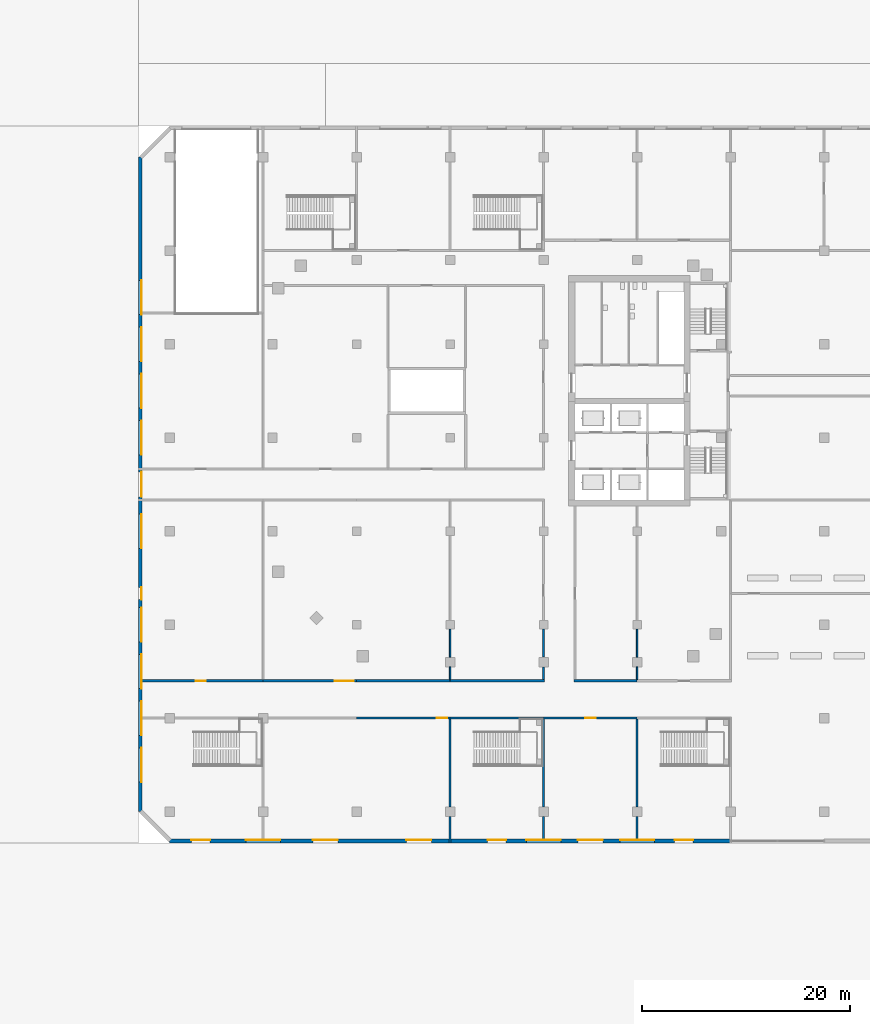
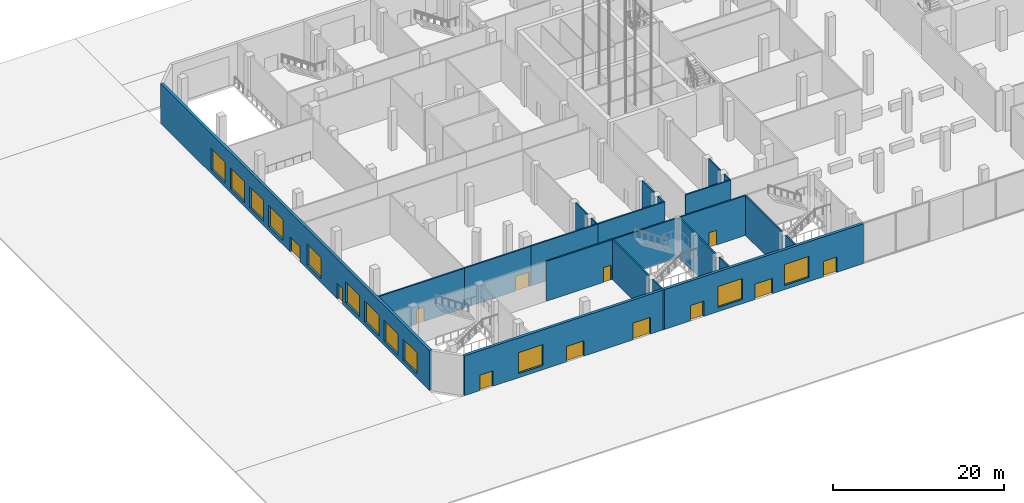
# One storey, part 33 of 55: 22 walls, 12 doors, 12 windows, 24 openings.
"""IFC4 building model written with IfcOpenShell, lengths in metres."""

from ifc_helpers import new_model, si_unit, direction, frame, frame_2d, origin, place, context, subcontext, project, spatial, rectangle, extrude, material, layer, layer_set, type_object, element, fill, save


model = new_model("IFC4")

# Units and contexts
model_context = context("Model", 3, precision=1e-05, world=origin(), true_north=direction((0.0, 1.0)))
body_context = subcontext(model_context, "Body", "Model", "MODEL_VIEW")
ifc_project = project(units=[si_unit("LENGTHUNIT", "METRE"), si_unit("AREAUNIT", "SQUARE_METRE"), si_unit("VOLUMEUNIT", "CUBIC_METRE"), si_unit("PLANEANGLEUNIT", "RADIAN"), si_unit("MASSUNIT", "GRAM", prefix="KILO")], contexts=[model_context])

# Site, building, storey
site_placement = place(None, origin())
site = spatial("IfcSite", under=ifc_project, at=site_placement, CompositionType="ELEMENT")
building_placement = place(site_placement, origin())
building = spatial("IfcBuilding", under=site, at=building_placement, Name="Cinnabar Reach Civic Tower", CompositionType="ELEMENT")
storey_placement = place(building_placement, origin())
storey = spatial("IfcBuildingStorey", under=building, at=storey_placement, Name="L00", CompositionType="ELEMENT", Elevation=0.0)

# Wall, openings, doors, windows
ifc_material_1 = material(Name="Facing brick with insulated backing", Category="masonry")
ifc_layer_1 = layer(ifc_material_1, 0.36)
ifc_layer_set_1 = layer_set([ifc_layer_1], Name="Brick pier and spandrel wall")
wall_type_1 = type_object("IfcWallType", Name="Brick pier and spandrel wall", PredefinedType="STANDARD", material=ifc_layer_set_1)
wall_1_placement = place(storey_placement, frame((-81.0, -11.82, 0.0), z_axis=(0.0, 0.0, 1.0), x_axis=(1.0, 0.0, 0.0)))
wall_1 = element("IfcWall", 1, at=wall_1_placement, inside=storey, type_object=wall_type_1, Name="Brick facade wall", PredefinedType="STANDARD", context=body_context, shape_type="SweptSolid", body=[
    extrude(rectangle(XDim=54.0, YDim=0.36, at=frame_2d((27.0, 0.0))), origin(), (0.0, 0.0, 1.0), 5.7),
])
opening_1_placement = place(wall_1_placement, frame((22.8, 0.0, 0.0)))
opening_1 = element("IfcOpeningElement", 2, at=opening_1_placement, cuts=wall_1, Name="Opening D7521", PredefinedType="OPENING", context=body_context, shape_type="SweptSolid", body=[
    extrude(rectangle(XDim=2.4, YDim=2.4, at=frame_2d((1.2, 1.2))), frame((0.0, 0.19, 0.0), z_axis=(0.0, -1.0, 0.0), x_axis=(1.0, 0.0, 0.0)), (0.0, 0.0, 1.0), 0.38),
])
opening_2_placement = place(wall_1_placement, frame((13.8, 0.0, 0.0)))
opening_2 = element("IfcOpeningElement", 3, at=opening_2_placement, cuts=wall_1, Name="Opening D7522", PredefinedType="OPENING", context=body_context, shape_type="SweptSolid", body=[
    extrude(rectangle(XDim=2.4, YDim=2.2, at=frame_2d((1.2, 1.1))), frame((0.0, 0.19, 0.0), z_axis=(0.0, -1.0, 0.0), x_axis=(1.0, 0.0, 0.0)), (0.0, 0.0, 1.0), 0.38),
])
opening_3_placement = place(wall_1_placement, frame((39.3, 0.0, 0.0)))
opening_3 = element("IfcOpeningElement", 4, at=opening_3_placement, cuts=wall_1, Name="Opening D7523", PredefinedType="OPENING", context=body_context, shape_type="SweptSolid", body=[
    extrude(rectangle(XDim=2.4, YDim=2.2, at=frame_2d((1.2, 1.1))), frame((0.0, 0.19, 0.0), z_axis=(0.0, -1.0, 0.0), x_axis=(1.0, 0.0, 0.0)), (0.0, 0.0, 1.0), 0.38),
])
opening_4_placement = place(wall_1_placement, frame((2.1, 0.0, 0.0)))
opening_4 = element("IfcOpeningElement", 5, at=opening_4_placement, cuts=wall_1, Name="Opening D7524", PredefinedType="OPENING", context=body_context, shape_type="SweptSolid", body=[
    extrude(rectangle(XDim=1.8, YDim=2.2, at=frame_2d((0.9, 1.1))), frame((0.0, 0.19, 0.0), z_axis=(0.0, -1.0, 0.0), x_axis=(1.0, 0.0, 0.0)), (0.0, 0.0, 1.0), 0.38),
])
opening_5_placement = place(wall_1_placement, frame((30.6, 0.0, 0.0)))
opening_5 = element("IfcOpeningElement", 6, at=opening_5_placement, cuts=wall_1, Name="Opening D7525", PredefinedType="OPENING", context=body_context, shape_type="SweptSolid", body=[
    extrude(rectangle(XDim=1.8, YDim=2.2, at=frame_2d((0.9, 1.1))), frame((0.0, 0.19, 0.0), z_axis=(0.0, -1.0, 0.0), x_axis=(1.0, 0.0, 0.0)), (0.0, 0.0, 1.0), 0.38),
])
opening_6_placement = place(wall_1_placement, frame((48.6, 0.0, 0.0)))
opening_6 = element("IfcOpeningElement", 7, at=opening_6_placement, cuts=wall_1, Name="Opening D7526", PredefinedType="OPENING", context=body_context, shape_type="SweptSolid", body=[
    extrude(rectangle(XDim=1.8, YDim=2.2, at=frame_2d((0.9, 1.1))), frame((0.0, 0.19, 0.0), z_axis=(0.0, -1.0, 0.0), x_axis=(1.0, 0.0, 0.0)), (0.0, 0.0, 1.0), 0.38),
])
opening_7_placement = place(wall_1_placement, frame((7.35, 0.0, 0.6)))
opening_7 = element("IfcOpeningElement", 8, at=opening_7_placement, cuts=wall_1, Name="Opening W2807", PredefinedType="OPENING", context=body_context, shape_type="SweptSolid", body=[
    extrude(rectangle(XDim=3.3, YDim=3.0, at=frame_2d((1.65, 1.5))), frame((0.0, 0.19, 0.0), z_axis=(0.0, -1.0, 0.0), x_axis=(1.0, 0.0, 0.0)), (0.0, 0.0, 1.0), 0.38),
])
opening_8_placement = place(wall_1_placement, frame((34.35, 0.0, 0.6)))
opening_8 = element("IfcOpeningElement", 9, at=opening_8_placement, cuts=wall_1, Name="Opening W2808", PredefinedType="OPENING", context=body_context, shape_type="SweptSolid", body=[
    extrude(rectangle(XDim=3.3, YDim=3.0, at=frame_2d((1.65, 1.5))), frame((0.0, 0.19, 0.0), z_axis=(0.0, -1.0, 0.0), x_axis=(1.0, 0.0, 0.0)), (0.0, 0.0, 1.0), 0.38),
])
opening_9_placement = place(wall_1_placement, frame((43.35, 0.0, 0.6)))
opening_9 = element("IfcOpeningElement", 10, at=opening_9_placement, cuts=wall_1, Name="Opening W2809", PredefinedType="OPENING", context=body_context, shape_type="SweptSolid", body=[
    extrude(rectangle(XDim=3.3, YDim=3.0, at=frame_2d((1.65, 1.5))), frame((0.0, 0.19, 0.0), z_axis=(0.0, -1.0, 0.0), x_axis=(1.0, 0.0, 0.0)), (0.0, 0.0, 1.0), 0.38),
])
ifc_material_2 = material(Name="Clear glazing in aluminium frame", Category="aluminium")
door_type_1 = type_object("IfcDoorType", Name="Facade entrance double door", OperationType="SINGLE_SWING_LEFT", PredefinedType="DOOR", material=ifc_material_2)
door_1_placement = place(opening_1_placement, frame((2.4, 0.0, 0.0), z_axis=(0.0, 0.0, 1.0), x_axis=(-1.0, 0.0, 0.0)))
door_1 = element("IfcDoor", 11, at=door_1_placement, inside=storey, type_object=door_type_1, Name="Residences lobby entrance", OperationType="DOUBLE_DOOR_SINGLE_SWING", OverallHeight=2.4, OverallWidth=2.4, PredefinedType="DOOR", context=body_context, shape_type="SweptSolid", body=[
    extrude(rectangle(XDim=2.4, YDim=2.4, at=frame_2d((1.2, 1.2))), frame((0.0, -0.07, 0.0), z_axis=(0.0, -1.0, 0.0), x_axis=(1.0, 0.0, 0.0)), (0.0, 0.0, 1.0), 0.05),
])
fill(opening_1, door_1)
ifc_material_3 = material(Name="Steel fire door", Category="steel")
door_type_2 = type_object("IfcDoorType", Name="Facade exit double door", OperationType="SINGLE_SWING_LEFT", PredefinedType="DOOR", material=ifc_material_3)
door_2_placement = place(opening_4_placement, frame((1.8, 0.0, 0.0), z_axis=(0.0, 0.0, 1.0), x_axis=(-1.0, 0.0, 0.0)))
door_2 = element("IfcDoor", 12, at=door_2_placement, inside=storey, type_object=door_type_2, Name="Stair exit discharge", OperationType="DOUBLE_DOOR_SINGLE_SWING", OverallHeight=2.2, OverallWidth=1.8, PredefinedType="DOOR", context=body_context, shape_type="SweptSolid", body=[
    extrude(rectangle(XDim=1.8, YDim=2.2, at=frame_2d((0.9, 1.1))), frame((0.0, -0.07, 0.0), z_axis=(0.0, -1.0, 0.0), x_axis=(1.0, 0.0, 0.0)), (0.0, 0.0, 1.0), 0.05),
])
fill(opening_4, door_2)
door_3_placement = place(opening_5_placement, frame((1.8, 0.0, 0.0), z_axis=(0.0, 0.0, 1.0), x_axis=(-1.0, 0.0, 0.0)))
door_3 = element("IfcDoor", 13, at=door_3_placement, inside=storey, type_object=door_type_2, Name="Stair exit discharge", OperationType="DOUBLE_DOOR_SINGLE_SWING", OverallHeight=2.2, OverallWidth=1.8, PredefinedType="DOOR", context=body_context, shape_type="SweptSolid", body=[
    extrude(rectangle(XDim=1.8, YDim=2.2, at=frame_2d((0.9, 1.1))), frame((0.0, -0.07, 0.0), z_axis=(0.0, -1.0, 0.0), x_axis=(1.0, 0.0, 0.0)), (0.0, 0.0, 1.0), 0.05),
])
fill(opening_5, door_3)
door_4_placement = place(opening_6_placement, frame((1.8, 0.0, 0.0), z_axis=(0.0, 0.0, 1.0), x_axis=(-1.0, 0.0, 0.0)))
door_4 = element("IfcDoor", 14, at=door_4_placement, inside=storey, type_object=door_type_2, Name="Stair exit discharge", OperationType="DOUBLE_DOOR_SINGLE_SWING", OverallHeight=2.2, OverallWidth=1.8, PredefinedType="DOOR", context=body_context, shape_type="SweptSolid", body=[
    extrude(rectangle(XDim=1.8, YDim=2.2, at=frame_2d((0.9, 1.1))), frame((0.0, -0.07, 0.0), z_axis=(0.0, -1.0, 0.0), x_axis=(1.0, 0.0, 0.0)), (0.0, 0.0, 1.0), 0.05),
])
fill(opening_6, door_4)
door_type_3 = type_object("IfcDoorType", Name="Facade wide exit double door", OperationType="SINGLE_SWING_LEFT", PredefinedType="DOOR", material=ifc_material_3)
door_5_placement = place(opening_2_placement, frame((2.4, 0.0, 0.0), z_axis=(0.0, 0.0, 1.0), x_axis=(-1.0, 0.0, 0.0)))
door_5 = element("IfcDoor", 15, at=door_5_placement, inside=storey, type_object=door_type_3, Name="Residences reception exit", OperationType="DOUBLE_DOOR_SINGLE_SWING", OverallHeight=2.2, OverallWidth=2.4, PredefinedType="DOOR", context=body_context, shape_type="SweptSolid", body=[
    extrude(rectangle(XDim=2.4, YDim=2.2, at=frame_2d((1.2, 1.1))), frame((0.0, -0.07, 0.0), z_axis=(0.0, -1.0, 0.0), x_axis=(1.0, 0.0, 0.0)), (0.0, 0.0, 1.0), 0.05),
])
fill(opening_2, door_5)
door_6_placement = place(opening_3_placement, frame((2.4, 0.0, 0.0), z_axis=(0.0, 0.0, 1.0), x_axis=(-1.0, 0.0, 0.0)))
door_6 = element("IfcDoor", 16, at=door_6_placement, inside=storey, type_object=door_type_3, Name="Retail unit exit", OperationType="DOUBLE_DOOR_SINGLE_SWING", OverallHeight=2.2, OverallWidth=2.4, PredefinedType="DOOR", context=body_context, shape_type="SweptSolid", body=[
    extrude(rectangle(XDim=2.4, YDim=2.2, at=frame_2d((1.2, 1.1))), frame((0.0, -0.07, 0.0), z_axis=(0.0, -1.0, 0.0), x_axis=(1.0, 0.0, 0.0)), (0.0, 0.0, 1.0), 0.05),
])
fill(opening_3, door_6)
ifc_material_4 = material(Name="Clear double glazing in aluminium frame", Category="aluminium")
window_type = type_object("IfcWindowType", Name="Podium window G", PartitioningType="SINGLE_PANEL", PredefinedType="WINDOW", material=ifc_material_4)
window_1_placement = place(opening_7_placement, origin())
window_1 = element("IfcWindow", 17, at=window_1_placement, inside=storey, type_object=window_type, Name="Window south face", OverallHeight=3.0, OverallWidth=3.3, PartitioningType="SINGLE_PANEL", PredefinedType="WINDOW", context=body_context, shape_type="SweptSolid", body=[
    extrude(rectangle(XDim=3.3, YDim=3.0, at=frame_2d((1.65, 1.5))), frame((0.0, 0.13, 0.0), z_axis=(0.0, -1.0, 0.0), x_axis=(1.0, 0.0, 0.0)), (0.0, 0.0, 1.0), 0.06),
])
fill(opening_7, window_1)
window_2_placement = place(opening_8_placement, origin())
window_2 = element("IfcWindow", 18, at=window_2_placement, inside=storey, type_object=window_type, Name="Window south face", OverallHeight=3.0, OverallWidth=3.3, PartitioningType="SINGLE_PANEL", PredefinedType="WINDOW", context=body_context, shape_type="SweptSolid", body=[
    extrude(rectangle(XDim=3.3, YDim=3.0, at=frame_2d((1.65, 1.5))), frame((0.0, 0.13, 0.0), z_axis=(0.0, -1.0, 0.0), x_axis=(1.0, 0.0, 0.0)), (0.0, 0.0, 1.0), 0.06),
])
fill(opening_8, window_2)
window_3_placement = place(opening_9_placement, origin())
window_3 = element("IfcWindow", 19, at=window_3_placement, inside=storey, type_object=window_type, Name="Window south face", OverallHeight=3.0, OverallWidth=3.3, PartitioningType="SINGLE_PANEL", PredefinedType="WINDOW", context=body_context, shape_type="SweptSolid", body=[
    extrude(rectangle(XDim=3.3, YDim=3.0, at=frame_2d((1.65, 1.5))), frame((0.0, 0.13, 0.0), z_axis=(0.0, -1.0, 0.0), x_axis=(1.0, 0.0, 0.0)), (0.0, 0.0, 1.0), 0.06),
])
fill(opening_9, window_3)

wall_2_placement = place(storey_placement, frame((-83.82, 54.0, 0.0), z_axis=(0.0, 0.0, 1.0), x_axis=(0.0, -1.0, 0.0)))
wall_2 = element("IfcWall", 20, at=wall_2_placement, inside=storey, type_object=wall_type_1, Name="Brick facade wall", PredefinedType="STANDARD", context=body_context, shape_type="SweptSolid", body=[
    extrude(rectangle(XDim=63.0, YDim=0.36, at=frame_2d((31.5, 0.0))), origin(), (0.0, 0.0, 1.0), 5.7),
])
opening_10_placement = place(wall_2_placement, frame((41.4, 0.0, 0.0)))
opening_10 = element("IfcOpeningElement", 21, at=opening_10_placement, cuts=wall_2, Name="Opening D7549", PredefinedType="OPENING", context=body_context, shape_type="SweptSolid", body=[
    extrude(rectangle(XDim=1.2, YDim=2.2, at=frame_2d((0.6, 1.1))), frame((0.0, 0.19, 0.0), z_axis=(0.0, -1.0, 0.0), x_axis=(1.0, 0.0, 0.0)), (0.0, 0.0, 1.0), 0.38),
])
opening_11_placement = place(wall_2_placement, frame((30.3, 0.0, 0.0)))
opening_11 = element("IfcOpeningElement", 22, at=opening_11_placement, cuts=wall_2, Name="Opening D7550", PredefinedType="OPENING", context=body_context, shape_type="SweptSolid", body=[
    extrude(rectangle(XDim=2.4, YDim=2.2, at=frame_2d((1.2, 1.1))), frame((0.0, 0.19, 0.0), z_axis=(0.0, -1.0, 0.0), x_axis=(1.0, 0.0, 0.0)), (0.0, 0.0, 1.0), 0.38),
])
opening_12_placement = place(wall_2_placement, frame((11.85, 0.0, 0.6)))
opening_12 = element("IfcOpeningElement", 23, at=opening_12_placement, cuts=wall_2, Name="Opening W2842", PredefinedType="OPENING", context=body_context, shape_type="SweptSolid", body=[
    extrude(rectangle(XDim=3.3, YDim=3.0, at=frame_2d((1.65, 1.5))), frame((0.0, 0.19, 0.0), z_axis=(0.0, -1.0, 0.0), x_axis=(1.0, 0.0, 0.0)), (0.0, 0.0, 1.0), 0.38),
])
opening_13_placement = place(wall_2_placement, frame((16.35, 0.0, 0.6)))
opening_13 = element("IfcOpeningElement", 24, at=opening_13_placement, cuts=wall_2, Name="Opening W2843", PredefinedType="OPENING", context=body_context, shape_type="SweptSolid", body=[
    extrude(rectangle(XDim=3.3, YDim=3.0, at=frame_2d((1.65, 1.5))), frame((0.0, 0.19, 0.0), z_axis=(0.0, -1.0, 0.0), x_axis=(1.0, 0.0, 0.0)), (0.0, 0.0, 1.0), 0.38),
])
opening_14_placement = place(wall_2_placement, frame((20.85, 0.0, 0.6)))
opening_14 = element("IfcOpeningElement", 25, at=opening_14_placement, cuts=wall_2, Name="Opening W2844", PredefinedType="OPENING", context=body_context, shape_type="SweptSolid", body=[
    extrude(rectangle(XDim=3.3, YDim=3.0, at=frame_2d((1.65, 1.5))), frame((0.0, 0.19, 0.0), z_axis=(0.0, -1.0, 0.0), x_axis=(1.0, 0.0, 0.0)), (0.0, 0.0, 1.0), 0.38),
])
opening_15_placement = place(wall_2_placement, frame((25.35, 0.0, 0.6)))
opening_15 = element("IfcOpeningElement", 26, at=opening_15_placement, cuts=wall_2, Name="Opening W2845", PredefinedType="OPENING", context=body_context, shape_type="SweptSolid", body=[
    extrude(rectangle(XDim=3.3, YDim=3.0, at=frame_2d((1.65, 1.5))), frame((0.0, 0.19, 0.0), z_axis=(0.0, -1.0, 0.0), x_axis=(1.0, 0.0, 0.0)), (0.0, 0.0, 1.0), 0.38),
])
opening_16_placement = place(wall_2_placement, frame((34.35, 0.0, 0.6)))
opening_16 = element("IfcOpeningElement", 27, at=opening_16_placement, cuts=wall_2, Name="Opening W2846", PredefinedType="OPENING", context=body_context, shape_type="SweptSolid", body=[
    extrude(rectangle(XDim=3.3, YDim=3.0, at=frame_2d((1.65, 1.5))), frame((0.0, 0.19, 0.0), z_axis=(0.0, -1.0, 0.0), x_axis=(1.0, 0.0, 0.0)), (0.0, 0.0, 1.0), 0.38),
])
opening_17_placement = place(wall_2_placement, frame((43.35, 0.0, 0.6)))
opening_17 = element("IfcOpeningElement", 28, at=opening_17_placement, cuts=wall_2, Name="Opening W2847", PredefinedType="OPENING", context=body_context, shape_type="SweptSolid", body=[
    extrude(rectangle(XDim=3.3, YDim=3.0, at=frame_2d((1.65, 1.5))), frame((0.0, 0.19, 0.0), z_axis=(0.0, -1.0, 0.0), x_axis=(1.0, 0.0, 0.0)), (0.0, 0.0, 1.0), 0.38),
])
opening_18_placement = place(wall_2_placement, frame((47.85, 0.0, 0.6)))
opening_18 = element("IfcOpeningElement", 29, at=opening_18_placement, cuts=wall_2, Name="Opening W2848", PredefinedType="OPENING", context=body_context, shape_type="SweptSolid", body=[
    extrude(rectangle(XDim=3.3, YDim=3.0, at=frame_2d((1.65, 1.5))), frame((0.0, 0.19, 0.0), z_axis=(0.0, -1.0, 0.0), x_axis=(1.0, 0.0, 0.0)), (0.0, 0.0, 1.0), 0.38),
])
opening_19_placement = place(wall_2_placement, frame((52.35, 0.0, 0.6)))
opening_19 = element("IfcOpeningElement", 30, at=opening_19_placement, cuts=wall_2, Name="Opening W2849", PredefinedType="OPENING", context=body_context, shape_type="SweptSolid", body=[
    extrude(rectangle(XDim=3.3, YDim=3.0, at=frame_2d((1.65, 1.5))), frame((0.0, 0.19, 0.0), z_axis=(0.0, -1.0, 0.0), x_axis=(1.0, 0.0, 0.0)), (0.0, 0.0, 1.0), 0.38),
])
opening_20_placement = place(wall_2_placement, frame((56.85, 0.0, 0.6)))
opening_20 = element("IfcOpeningElement", 31, at=opening_20_placement, cuts=wall_2, Name="Opening W2850", PredefinedType="OPENING", context=body_context, shape_type="SweptSolid", body=[
    extrude(rectangle(XDim=3.3, YDim=3.0, at=frame_2d((1.65, 1.5))), frame((0.0, 0.19, 0.0), z_axis=(0.0, -1.0, 0.0), x_axis=(1.0, 0.0, 0.0)), (0.0, 0.0, 1.0), 0.38),
])
ifc_material_5 = material(Name="Steel door", Category="steel")
door_type_4 = type_object("IfcDoorType", Name="Facade service door", OperationType="SINGLE_SWING_LEFT", PredefinedType="DOOR", material=ifc_material_5)
door_7_placement = place(opening_10_placement, frame((1.2, 0.0, 0.0), z_axis=(0.0, 0.0, 1.0), x_axis=(-1.0, 0.0, 0.0)))
door_7 = element("IfcDoor", 32, at=door_7_placement, inside=storey, type_object=door_type_4, Name="Security control room door", OperationType="SINGLE_SWING_LEFT", OverallHeight=2.2, OverallWidth=1.2, PredefinedType="DOOR", context=body_context, shape_type="SweptSolid", body=[
    extrude(rectangle(XDim=1.2, YDim=2.2, at=frame_2d((0.6, 1.1))), frame((0.0, -0.07, 0.0), z_axis=(0.0, -1.0, 0.0), x_axis=(1.0, 0.0, 0.0)), (0.0, 0.0, 1.0), 0.05),
])
fill(opening_10, door_7)
door_8_placement = place(opening_11_placement, frame((2.4, 0.0, 0.0), z_axis=(0.0, 0.0, 1.0), x_axis=(-1.0, 0.0, 0.0)))
door_8 = element("IfcDoor", 33, at=door_8_placement, inside=storey, type_object=door_type_3, Name="West corridor exit", OperationType="DOUBLE_DOOR_SINGLE_SWING", OverallHeight=2.2, OverallWidth=2.4, PredefinedType="DOOR", context=body_context, shape_type="SweptSolid", body=[
    extrude(rectangle(XDim=2.4, YDim=2.2, at=frame_2d((1.2, 1.1))), frame((0.0, -0.07, 0.0), z_axis=(0.0, -1.0, 0.0), x_axis=(1.0, 0.0, 0.0)), (0.0, 0.0, 1.0), 0.05),
])
fill(opening_11, door_8)
window_4_placement = place(opening_12_placement, origin())
window_4 = element("IfcWindow", 34, at=window_4_placement, inside=storey, type_object=window_type, Name="Window west face", OverallHeight=3.0, OverallWidth=3.3, PartitioningType="SINGLE_PANEL", PredefinedType="WINDOW", context=body_context, shape_type="SweptSolid", body=[
    extrude(rectangle(XDim=3.3, YDim=3.0, at=frame_2d((1.65, 1.5))), frame((0.0, 0.13, 0.0), z_axis=(0.0, -1.0, 0.0), x_axis=(1.0, 0.0, 0.0)), (0.0, 0.0, 1.0), 0.06),
])
fill(opening_12, window_4)
window_5_placement = place(opening_13_placement, origin())
window_5 = element("IfcWindow", 35, at=window_5_placement, inside=storey, type_object=window_type, Name="Window west face", OverallHeight=3.0, OverallWidth=3.3, PartitioningType="SINGLE_PANEL", PredefinedType="WINDOW", context=body_context, shape_type="SweptSolid", body=[
    extrude(rectangle(XDim=3.3, YDim=3.0, at=frame_2d((1.65, 1.5))), frame((0.0, 0.13, 0.0), z_axis=(0.0, -1.0, 0.0), x_axis=(1.0, 0.0, 0.0)), (0.0, 0.0, 1.0), 0.06),
])
fill(opening_13, window_5)
window_6_placement = place(opening_14_placement, origin())
window_6 = element("IfcWindow", 36, at=window_6_placement, inside=storey, type_object=window_type, Name="Window west face", OverallHeight=3.0, OverallWidth=3.3, PartitioningType="SINGLE_PANEL", PredefinedType="WINDOW", context=body_context, shape_type="SweptSolid", body=[
    extrude(rectangle(XDim=3.3, YDim=3.0, at=frame_2d((1.65, 1.5))), frame((0.0, 0.13, 0.0), z_axis=(0.0, -1.0, 0.0), x_axis=(1.0, 0.0, 0.0)), (0.0, 0.0, 1.0), 0.06),
])
fill(opening_14, window_6)
window_7_placement = place(opening_15_placement, origin())
window_7 = element("IfcWindow", 37, at=window_7_placement, inside=storey, type_object=window_type, Name="Window west face", OverallHeight=3.0, OverallWidth=3.3, PartitioningType="SINGLE_PANEL", PredefinedType="WINDOW", context=body_context, shape_type="SweptSolid", body=[
    extrude(rectangle(XDim=3.3, YDim=3.0, at=frame_2d((1.65, 1.5))), frame((0.0, 0.13, 0.0), z_axis=(0.0, -1.0, 0.0), x_axis=(1.0, 0.0, 0.0)), (0.0, 0.0, 1.0), 0.06),
])
fill(opening_15, window_7)
window_8_placement = place(opening_16_placement, origin())
window_8 = element("IfcWindow", 38, at=window_8_placement, inside=storey, type_object=window_type, Name="Window west face", OverallHeight=3.0, OverallWidth=3.3, PartitioningType="SINGLE_PANEL", PredefinedType="WINDOW", context=body_context, shape_type="SweptSolid", body=[
    extrude(rectangle(XDim=3.3, YDim=3.0, at=frame_2d((1.65, 1.5))), frame((0.0, 0.13, 0.0), z_axis=(0.0, -1.0, 0.0), x_axis=(1.0, 0.0, 0.0)), (0.0, 0.0, 1.0), 0.06),
])
fill(opening_16, window_8)
window_9_placement = place(opening_17_placement, origin())
window_9 = element("IfcWindow", 39, at=window_9_placement, inside=storey, type_object=window_type, Name="Window west face", OverallHeight=3.0, OverallWidth=3.3, PartitioningType="SINGLE_PANEL", PredefinedType="WINDOW", context=body_context, shape_type="SweptSolid", body=[
    extrude(rectangle(XDim=3.3, YDim=3.0, at=frame_2d((1.65, 1.5))), frame((0.0, 0.13, 0.0), z_axis=(0.0, -1.0, 0.0), x_axis=(1.0, 0.0, 0.0)), (0.0, 0.0, 1.0), 0.06),
])
fill(opening_17, window_9)
window_10_placement = place(opening_18_placement, origin())
window_10 = element("IfcWindow", 40, at=window_10_placement, inside=storey, type_object=window_type, Name="Window west face", OverallHeight=3.0, OverallWidth=3.3, PartitioningType="SINGLE_PANEL", PredefinedType="WINDOW", context=body_context, shape_type="SweptSolid", body=[
    extrude(rectangle(XDim=3.3, YDim=3.0, at=frame_2d((1.65, 1.5))), frame((0.0, 0.13, 0.0), z_axis=(0.0, -1.0, 0.0), x_axis=(1.0, 0.0, 0.0)), (0.0, 0.0, 1.0), 0.06),
])
fill(opening_18, window_10)
window_11_placement = place(opening_19_placement, origin())
window_11 = element("IfcWindow", 41, at=window_11_placement, inside=storey, type_object=window_type, Name="Window west face", OverallHeight=3.0, OverallWidth=3.3, PartitioningType="SINGLE_PANEL", PredefinedType="WINDOW", context=body_context, shape_type="SweptSolid", body=[
    extrude(rectangle(XDim=3.3, YDim=3.0, at=frame_2d((1.65, 1.5))), frame((0.0, 0.13, 0.0), z_axis=(0.0, -1.0, 0.0), x_axis=(1.0, 0.0, 0.0)), (0.0, 0.0, 1.0), 0.06),
])
fill(opening_19, window_11)
window_12_placement = place(opening_20_placement, origin())
window_12 = element("IfcWindow", 42, at=window_12_placement, inside=storey, type_object=window_type, Name="Window west face", OverallHeight=3.0, OverallWidth=3.3, PartitioningType="SINGLE_PANEL", PredefinedType="WINDOW", context=body_context, shape_type="SweptSolid", body=[
    extrude(rectangle(XDim=3.3, YDim=3.0, at=frame_2d((1.65, 1.5))), frame((0.0, 0.13, 0.0), z_axis=(0.0, -1.0, 0.0), x_axis=(1.0, 0.0, 0.0)), (0.0, 0.0, 1.0), 0.06),
])
fill(opening_20, window_12)

# Wall, opening, door
ifc_material_6 = material(Name="Concrete blockwork", Category="masonry")
ifc_layer_2 = layer(ifc_material_6, 0.2)
ifc_layer_set_2 = layer_set([ifc_layer_2], Name="Podium masonry corridor wall 200 EI 120")
wall_type_2 = type_object("IfcWallType", Name="Podium masonry corridor wall 200 EI 120", PredefinedType="PARTITIONING", material=ifc_layer_set_2)
wall_3_placement = place(storey_placement, frame((-63.0, 0.0, 0.0), z_axis=(0.0, 0.0, 1.0), x_axis=(1.0, 0.0, 0.0)))
wall_3 = element("IfcWall", 43, at=wall_3_placement, inside=storey, type_object=wall_type_2, Name="Wall L00 77", PredefinedType="PARTITIONING", context=body_context, shape_type="SweptSolid", body=[
    extrude(rectangle(XDim=9.0, YDim=0.2, at=frame_2d((4.5, 0.0))), origin(), (0.0, 0.0, 1.0), 5.7),
])
opening_21_placement = place(wall_3_placement, frame((7.7, 0.0, 0.0)))
opening_21 = element("IfcOpeningElement", 44, at=opening_21_placement, cuts=wall_3, Name="Opening D1006", PredefinedType="OPENING", context=body_context, shape_type="SweptSolid", body=[
    extrude(rectangle(XDim=1.0, YDim=2.1, at=frame_2d((0.5, 1.05))), frame((0.0, 0.11, 0.0), z_axis=(0.0, -1.0, 0.0), x_axis=(1.0, 0.0, 0.0)), (0.0, 0.0, 1.0), 0.22),
])
ifc_material_7 = material(Name="Painted steel door leaf", Category="steel")
door_type_5 = type_object("IfcDoorType", Name="Podium single door 1000x2100", OperationType="SINGLE_SWING_LEFT", PredefinedType="DOOR", material=ifc_material_7)
door_9_placement = place(opening_21_placement, frame((1.0, 0.0, 0.0), z_axis=(0.0, 0.0, 1.0), x_axis=(-1.0, 0.0, 0.0)))
door_9 = element("IfcDoor", 45, at=door_9_placement, inside=storey, type_object=door_type_5, Name="Door D1006", OperationType="SINGLE_SWING_LEFT", OverallHeight=2.1, OverallWidth=1.0, PredefinedType="DOOR", context=body_context, shape_type="SweptSolid", body=[
    extrude(rectangle(XDim=1.0, YDim=2.1, at=frame_2d((0.5, 1.05))), frame((0.0, 0.025, 0.0), z_axis=(0.0, -1.0, 0.0), x_axis=(1.0, 0.0, 0.0)), (0.0, 0.0, 1.0), 0.05),
])
fill(opening_21, door_9)

wall_4_placement = place(storey_placement, frame((-45.0, 0.0, 0.0), z_axis=(0.0, 0.0, 1.0), x_axis=(1.0, 0.0, 0.0)))
wall_4 = element("IfcWall", 46, at=wall_4_placement, inside=storey, type_object=wall_type_2, Name="Wall L00 79", PredefinedType="PARTITIONING", context=body_context, shape_type="SweptSolid", body=[
    extrude(rectangle(XDim=9.0, YDim=0.2, at=frame_2d((4.5, 0.0))), origin(), (0.0, 0.0, 1.0), 5.7),
])
opening_22_placement = place(wall_4_placement, frame((4.0, 0.0, 0.0)))
opening_22 = element("IfcOpeningElement", 47, at=opening_22_placement, cuts=wall_4, Name="Opening D1007", PredefinedType="OPENING", context=body_context, shape_type="SweptSolid", body=[
    extrude(rectangle(XDim=1.0, YDim=2.1, at=frame_2d((0.5, 1.05))), frame((0.0, 0.11, 0.0), z_axis=(0.0, -1.0, 0.0), x_axis=(1.0, 0.0, 0.0)), (0.0, 0.0, 1.0), 0.22),
])
door_10_placement = place(opening_22_placement, frame((1.0, 0.0, 0.0), z_axis=(0.0, 0.0, 1.0), x_axis=(-1.0, 0.0, 0.0)))
door_10 = element("IfcDoor", 48, at=door_10_placement, inside=storey, type_object=door_type_5, Name="Door D1007", OperationType="SINGLE_SWING_LEFT", OverallHeight=2.1, OverallWidth=1.0, PredefinedType="DOOR", context=body_context, shape_type="SweptSolid", body=[
    extrude(rectangle(XDim=1.0, YDim=2.1, at=frame_2d((0.5, 1.05))), frame((0.0, 0.025, 0.0), z_axis=(0.0, -1.0, 0.0), x_axis=(1.0, 0.0, 0.0)), (0.0, 0.0, 1.0), 0.05),
])
fill(opening_22, door_10)

wall_5_placement = place(storey_placement, frame((-83.6, 3.6, 0.0), z_axis=(0.0, 0.0, 1.0), x_axis=(1.0, 0.0, 0.0)))
wall_5 = element("IfcWall", 49, at=wall_5_placement, inside=storey, type_object=wall_type_2, Name="Wall L00 80", PredefinedType="PARTITIONING", context=body_context, shape_type="SweptSolid", body=[
    extrude(rectangle(XDim=11.6, YDim=0.2, at=frame_2d((5.8, 0.0))), origin(), (0.0, 0.0, 1.0), 5.7),
])
opening_23_placement = place(wall_5_placement, frame((5.1, 0.0, 0.0)))
opening_23 = element("IfcOpeningElement", 50, at=opening_23_placement, cuts=wall_5, Name="Opening D1012", PredefinedType="OPENING", context=body_context, shape_type="SweptSolid", body=[
    extrude(rectangle(XDim=1.0, YDim=2.1, at=frame_2d((0.5, 1.05))), frame((0.0, 0.11, 0.0), z_axis=(0.0, -1.0, 0.0), x_axis=(1.0, 0.0, 0.0)), (0.0, 0.0, 1.0), 0.22),
])
door_11_placement = place(opening_23_placement, origin())
door_11 = element("IfcDoor", 51, at=door_11_placement, inside=storey, type_object=door_type_5, Name="Door D1012", OperationType="SINGLE_SWING_RIGHT", OverallHeight=2.1, OverallWidth=1.0, PredefinedType="DOOR", context=body_context, shape_type="SweptSolid", body=[
    extrude(rectangle(XDim=1.0, YDim=2.1, at=frame_2d((0.5, 1.05))), frame((0.0, 0.025, 0.0), z_axis=(0.0, -1.0, 0.0), x_axis=(1.0, 0.0, 0.0)), (0.0, 0.0, 1.0), 0.05),
])
fill(opening_23, door_11)

wall_6_placement = place(storey_placement, frame((-72.0, 3.6, 0.0), z_axis=(0.0, 0.0, 1.0), x_axis=(1.0, 0.0, 0.0)))
wall_6 = element("IfcWall", 52, at=wall_6_placement, inside=storey, type_object=wall_type_2, Name="Wall L00 81", PredefinedType="PARTITIONING", context=body_context, shape_type="SweptSolid", body=[
    extrude(rectangle(XDim=9.0, YDim=0.2, at=frame_2d((4.5, 0.0))), origin(), (0.0, 0.0, 1.0), 5.7),
])
opening_24_placement = place(wall_6_placement, frame((6.9, 0.0, 0.0)))
opening_24 = element("IfcOpeningElement", 53, at=opening_24_placement, cuts=wall_6, Name="Opening D1013", PredefinedType="OPENING", context=body_context, shape_type="SweptSolid", body=[
    extrude(rectangle(XDim=1.8, YDim=2.1, at=frame_2d((0.9, 1.05))), frame((0.0, 0.11, 0.0), z_axis=(0.0, -1.0, 0.0), x_axis=(1.0, 0.0, 0.0)), (0.0, 0.0, 1.0), 0.22),
])
door_type_6 = type_object("IfcDoorType", Name="Podium double door 1800x2100", OperationType="DOUBLE_DOOR_SINGLE_SWING", PredefinedType="DOOR", material=ifc_material_7)
door_12_placement = place(opening_24_placement, origin())
door_12 = element("IfcDoor", 54, at=door_12_placement, inside=storey, type_object=door_type_6, Name="Door D1013", OperationType="DOUBLE_DOOR_SINGLE_SWING", OverallHeight=2.1, OverallWidth=1.8, PredefinedType="DOOR", context=body_context, shape_type="SweptSolid", body=[
    extrude(rectangle(XDim=1.8, YDim=2.1, at=frame_2d((0.9, 1.05))), frame((0.0, 0.025, 0.0), z_axis=(0.0, -1.0, 0.0), x_axis=(1.0, 0.0, 0.0)), (0.0, 0.0, 1.0), 0.05),
])
fill(opening_24, door_12)

# Walls
wall_7_placement = place(storey_placement, frame((-63.0, 3.6, 0.0), z_axis=(0.0, 0.0, 1.0), x_axis=(1.0, 0.0, 0.0)))
element("IfcWall", 55, at=wall_7_placement, inside=storey, type_object=wall_type_2, Name="Wall L00 82", PredefinedType="PARTITIONING", context=body_context, shape_type="SweptSolid", body=[
    extrude(rectangle(XDim=9.0, YDim=0.2, at=frame_2d((4.5, 0.0))), origin(), (0.0, 0.0, 1.0), 5.7),
])
wall_8_placement = place(storey_placement, frame((-54.0, 3.6, 0.0), z_axis=(0.0, 0.0, 1.0), x_axis=(1.0, 0.0, 0.0)))
element("IfcWall", 56, at=wall_8_placement, inside=storey, type_object=wall_type_2, Name="Wall L00 83", PredefinedType="PARTITIONING", context=body_context, shape_type="SweptSolid", body=[
    extrude(rectangle(XDim=9.1, YDim=0.2, at=frame_2d((4.55, 0.0))), origin(), (0.0, 0.0, 1.0), 5.7),
])
wall_9_placement = place(storey_placement, frame((-42.1, 3.6, 0.0), z_axis=(0.0, 0.0, 1.0), x_axis=(1.0, 0.0, 0.0)))
element("IfcWall", 57, at=wall_9_placement, inside=storey, type_object=wall_type_2, Name="Wall L00 84", PredefinedType="PARTITIONING", context=body_context, shape_type="SweptSolid", body=[
    extrude(rectangle(XDim=6.1, YDim=0.2, at=frame_2d((3.05, 0.0))), origin(), (0.0, 0.0, 1.0), 5.7),
])
wall_10_placement = place(storey_placement, frame((-45.0, 3.7, 0.0), z_axis=(0.0, 0.0, 1.0), x_axis=(0.0, 1.0, 0.0)))
element("IfcWall", 58, at=wall_10_placement, inside=storey, type_object=wall_type_2, Name="Wall L00 101", PredefinedType="PARTITIONING", context=body_context, shape_type="SweptSolid", body=[
    extrude(rectangle(XDim=1.23, YDim=0.2, at=frame_2d((0.615, 0.0))), origin(), (0.0, 0.0, 1.0), 5.7),
])
wall_11_placement = place(storey_placement, frame((-45.0, 5.87, 0.0), z_axis=(0.0, 0.0, 1.0), x_axis=(0.0, 1.0, 0.0)))
element("IfcWall", 59, at=wall_11_placement, inside=storey, type_object=wall_type_2, Name="Wall L00 102", PredefinedType="PARTITIONING", context=body_context, shape_type="SweptSolid", body=[
    extrude(rectangle(XDim=2.71, YDim=0.2, at=frame_2d((1.355, 0.0))), origin(), (0.0, 0.0, 1.0), 5.7),
])
ifc_material_8 = material(Name="Gypsum board on steel studs", Category="steel")
ifc_layer_3 = layer(ifc_material_8, 0.15)
ifc_layer_set_3 = layer_set([ifc_layer_3], Name="Podium partition wall 150 EI 90")
wall_type_3 = type_object("IfcWallType", Name="Podium partition wall 150 EI 90", PredefinedType="PARTITIONING", material=ifc_layer_set_3)
wall_12_placement = place(storey_placement, frame((-54.0, 3.7, 0.0), z_axis=(0.0, 0.0, 1.0), x_axis=(0.0, 1.0, 0.0)))
element("IfcWall", 60, at=wall_12_placement, inside=storey, type_object=wall_type_3, Name="Wall L00 156", PredefinedType="PARTITIONING", context=body_context, shape_type="SweptSolid", body=[
    extrude(rectangle(XDim=1.23, YDim=0.15, at=frame_2d((0.615, 0.0))), origin(), (0.0, 0.0, 1.0), 5.7),
])
wall_13_placement = place(storey_placement, frame((-54.0, 5.87, 0.0), z_axis=(0.0, 0.0, 1.0), x_axis=(0.0, 1.0, 0.0)))
element("IfcWall", 61, at=wall_13_placement, inside=storey, type_object=wall_type_3, Name="Wall L00 157", PredefinedType="PARTITIONING", context=body_context, shape_type="SweptSolid", body=[
    extrude(rectangle(XDim=2.71, YDim=0.15, at=frame_2d((1.355, 0.0))), origin(), (0.0, 0.0, 1.0), 5.7),
])
wall_14_placement = place(storey_placement, frame((-36.0, 3.7, 0.0), z_axis=(0.0, 0.0, 1.0), x_axis=(0.0, 1.0, 0.0)))
element("IfcWall", 62, at=wall_14_placement, inside=storey, type_object=wall_type_3, Name="Wall L00 160", PredefinedType="PARTITIONING", context=body_context, shape_type="SweptSolid", body=[
    extrude(rectangle(XDim=1.23, YDim=0.15, at=frame_2d((0.615, 0.0))), origin(), (0.0, 0.0, 1.0), 5.7),
])
wall_15_placement = place(storey_placement, frame((-36.0, 5.87, 0.0), z_axis=(0.0, 0.0, 1.0), x_axis=(0.0, 1.0, 0.0)))
element("IfcWall", 63, at=wall_15_placement, inside=storey, type_object=wall_type_3, Name="Wall L00 161", PredefinedType="PARTITIONING", context=body_context, shape_type="SweptSolid", body=[
    extrude(rectangle(XDim=2.71, YDim=0.15, at=frame_2d((1.355, 0.0))), origin(), (0.0, 0.0, 1.0), 5.7),
])
ifc_material_9 = material(Name="Concrete C40", Category="concrete")
ifc_layer_4 = layer(ifc_material_9, 0.2)
ifc_layer_set_4 = layer_set([ifc_layer_4], Name="Podium stair shaft wall 200 EI 120")
wall_type_4 = type_object("IfcWallType", Name="Podium stair shaft wall 200 EI 120", PredefinedType="SOLIDWALL", material=ifc_layer_set_4)
wall_16_placement = place(storey_placement, frame((-54.0, 0.0, 0.0), z_axis=(0.0, 0.0, 1.0), x_axis=(1.0, 0.0, 0.0)))
element("IfcWall", 64, at=wall_16_placement, inside=storey, type_object=wall_type_4, Name="Wall L00 37", PredefinedType="SOLIDWALL", context=body_context, shape_type="SweptSolid", body=[
    extrude(rectangle(XDim=9.0, YDim=0.2, at=frame_2d((4.5, 0.0))), origin(), (0.0, 0.0, 1.0), 5.7),
])
wall_17_placement = place(storey_placement, frame((-54.0, -12.0, 0.0), z_axis=(0.0, 0.0, 1.0), x_axis=(0.0, 1.0, 0.0)))
element("IfcWall", 65, at=wall_17_placement, inside=storey, type_object=wall_type_4, Name="Wall L00 38", PredefinedType="SOLIDWALL", context=body_context, shape_type="SweptSolid", body=[
    extrude(rectangle(XDim=2.53, YDim=0.2, at=frame_2d((1.265, 0.0))), origin(), (0.0, 0.0, 1.0), 5.7),
])
wall_18_placement = place(storey_placement, frame((-54.0, -8.53, 0.0), z_axis=(0.0, 0.0, 1.0), x_axis=(0.0, 1.0, 0.0)))
element("IfcWall", 66, at=wall_18_placement, inside=storey, type_object=wall_type_4, Name="Wall L00 39", PredefinedType="SOLIDWALL", context=body_context, shape_type="SweptSolid", body=[
    extrude(rectangle(XDim=8.43, YDim=0.2, at=frame_2d((4.215, 0.0))), origin(), (0.0, 0.0, 1.0), 5.7),
])
wall_19_placement = place(storey_placement, frame((-45.0, -11.6, 0.0), z_axis=(0.0, 0.0, 1.0), x_axis=(0.0, 1.0, 0.0)))
element("IfcWall", 67, at=wall_19_placement, inside=storey, type_object=wall_type_4, Name="Wall L00 40", PredefinedType="SOLIDWALL", context=body_context, shape_type="SweptSolid", body=[
    extrude(rectangle(XDim=2.13, YDim=0.2, at=frame_2d((1.065, 0.0))), origin(), (0.0, 0.0, 1.0), 5.7),
])
wall_20_placement = place(storey_placement, frame((-45.0, -8.53, 0.0), z_axis=(0.0, 0.0, 1.0), x_axis=(0.0, 1.0, 0.0)))
element("IfcWall", 68, at=wall_20_placement, inside=storey, type_object=wall_type_4, Name="Wall L00 41", PredefinedType="SOLIDWALL", context=body_context, shape_type="SweptSolid", body=[
    extrude(rectangle(XDim=8.43, YDim=0.2, at=frame_2d((4.215, 0.0))), origin(), (0.0, 0.0, 1.0), 5.7),
])
wall_21_placement = place(storey_placement, frame((-36.0, -11.6, 0.0), z_axis=(0.0, 0.0, 1.0), x_axis=(0.0, 1.0, 0.0)))
element("IfcWall", 69, at=wall_21_placement, inside=storey, type_object=wall_type_4, Name="Wall L00 45", PredefinedType="SOLIDWALL", context=body_context, shape_type="SweptSolid", body=[
    extrude(rectangle(XDim=2.13, YDim=0.2, at=frame_2d((1.065, 0.0))), origin(), (0.0, 0.0, 1.0), 5.7),
])
wall_22_placement = place(storey_placement, frame((-36.0, -8.53, 0.0), z_axis=(0.0, 0.0, 1.0), x_axis=(0.0, 1.0, 0.0)))
element("IfcWall", 70, at=wall_22_placement, inside=storey, type_object=wall_type_4, Name="Wall L00 46", PredefinedType="SOLIDWALL", context=body_context, shape_type="SweptSolid", body=[
    extrude(rectangle(XDim=8.43, YDim=0.2, at=frame_2d((4.215, 0.0))), origin(), (0.0, 0.0, 1.0), 5.7),
])

save(model, "model.ifc")
